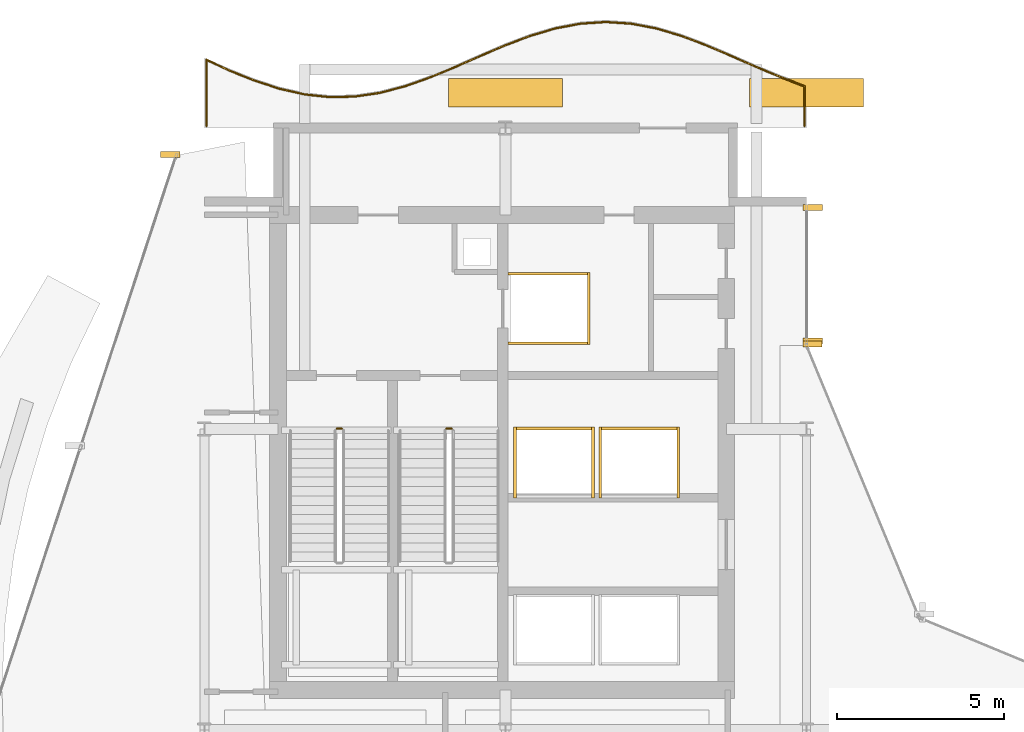
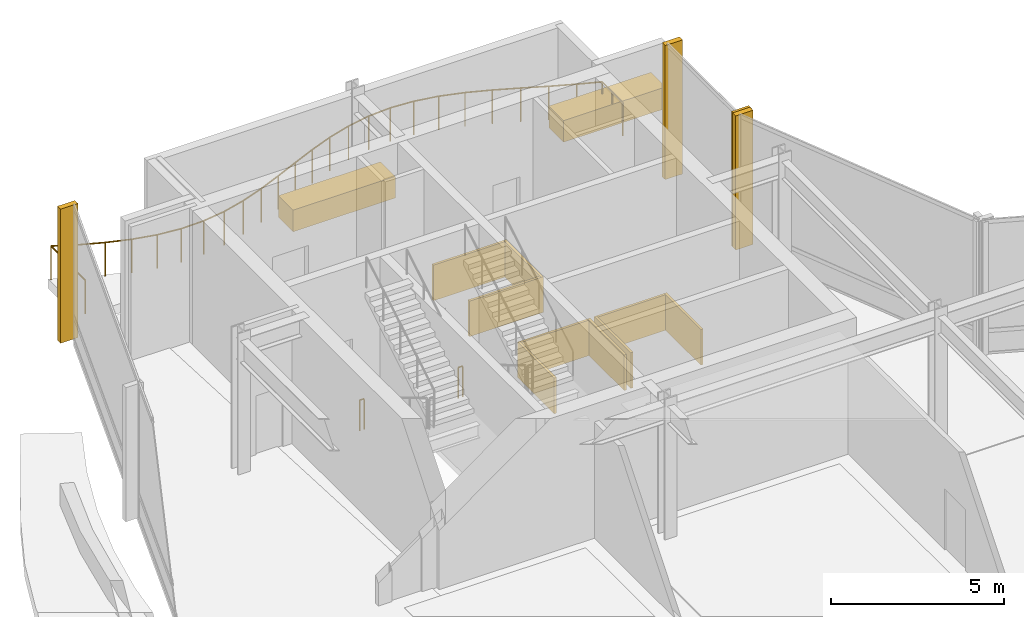
# One storey, part 28 of 29: 28 railings, 15 coverings.
"""IFC4 building model written with IfcOpenShell, lengths in metres."""

from ifc_helpers import new_model, si_unit, direction, frame, origin, origin_2d, place, context, subcontext, project, spatial, rectangle, circle, extrude, material, layer, layer_set, type_object, element, save


model = new_model("IFC4")

# Units and contexts
model_context = context("Model", 3, precision=1e-05, world=origin(), true_north=direction((0.0, 1.0)))
body_context = subcontext(model_context, "Body", "Model", "MODEL_VIEW")
ifc_project = project(units=[si_unit("LENGTHUNIT", "METRE"), si_unit("AREAUNIT", "SQUARE_METRE"), si_unit("VOLUMEUNIT", "CUBIC_METRE"), si_unit("PLANEANGLEUNIT", "RADIAN"), si_unit("MASSUNIT", "GRAM", prefix="KILO")], contexts=[model_context])

# Site, building, storey
site_placement = place(None, origin())
site = spatial("IfcSite", under=ifc_project, at=site_placement, CompositionType="ELEMENT")
building_placement = place(site_placement, origin())
building = spatial("IfcBuilding", under=site, at=building_placement, Name="Solvaryn Broadcast Tower", CompositionType="ELEMENT")
storey_placement = place(building_placement, frame((0.0, 0.0, 169.199951171875)))
storey = spatial("IfcBuildingStorey", under=building, at=storey_placement, Name="L42", CompositionType="ELEMENT", Elevation=169.199951171875)

# Coverings
ifc_material_1 = material(Name="Fire-Rated Gypsum Shaftwall Liner", Category="concrete")
ifc_layer_1 = layer(ifc_material_1, 0.080078125)
ifc_layer_set_1 = layer_set([ifc_layer_1], Name="CV-SHAFT-LINER")
covering_type_1 = type_object("IfcCoveringType", Name="CV-SHAFT-LINER", PredefinedType="CLADDING", material=ifc_layer_set_1)
for number, where, z_axis, x_axis, name in (
    (1, (19.300048828125, 40.639892578125, 0.0), (0.0, 0.0, 1.0), (1.0, 0.0, 0.0), "L42 FL1 Hoistway Shaft Liner North"),
    (2, (19.300048828125, 38.56005859375, 0.0), (0.0, 0.0, 1.0), (1.0, 0.0, 0.0), "L42 FL1 Hoistway Shaft Liner South"),
):
    element("IfcCovering", number, at=place(storey_placement, frame(where, z_axis=z_axis, x_axis=x_axis)), inside=storey, type_object=covering_type_1, Name=name, PredefinedType="CLADDING", context=body_context, shape_type="SweptSolid", body=[
        extrude(rectangle(XDim=2.4599609375, YDim=0.080078125, at=origin_2d()), origin(), (0.0, 0.0, 1.0), 1.25),
    ])
covering_1_placement = place(storey_placement, frame((20.489990234375, 39.60009765625, 0.0), z_axis=(0.0, 0.0, 1.0), x_axis=(1.0, 0.0, 0.0)))
element("IfcCovering", 3, at=covering_1_placement, inside=storey, type_object=covering_type_1, Name="L42 FL1 Hoistway Shaft Liner East", PredefinedType="CLADDING", context=body_context, shape_type="SweptSolid", body=[
    extrude(rectangle(XDim=0.080078125, YDim=2.159912109375, at=origin_2d()), origin(), (0.0, 0.0, 1.0), 1.25),
])
covering_2_placement = place(storey_placement, frame((19.449951171875, 36.014892578125, 0.0), z_axis=(0.0, 0.0, 1.0), x_axis=(1.0, 0.0, 0.0)))
element("IfcCovering", 4, at=covering_2_placement, inside=storey, type_object=covering_type_1, Name="L42 PH3 Hoistway Shaft Liner North", PredefinedType="CLADDING", context=body_context, shape_type="SweptSolid", body=[
    extrude(rectangle(XDim=2.409912109375, YDim=0.080078125, at=origin_2d()), origin(), (0.0, 0.0, 1.0), 1.25),
])
for number, where, z_axis, x_axis, name in (
    (5, (20.614990234375, 35.0, 0.0), (0.0, 0.0, 1.0), (1.0, 0.0, 0.0), "L42 PH3 Hoistway Shaft Liner East"),
    (6, (18.284912109375, 35.0, 0.0), (0.0, 0.0, 1.0), (1.0, 0.0, 0.0), "L42 PH3 Hoistway Shaft Liner West"),
):
    element("IfcCovering", number, at=place(storey_placement, frame(where, z_axis=z_axis, x_axis=x_axis)), inside=storey, type_object=covering_type_1, Name=name, PredefinedType="CLADDING", context=body_context, shape_type="SweptSolid", body=[
        extrude(rectangle(XDim=0.080078125, YDim=2.110107421875, at=origin_2d()), origin(), (0.0, 0.0, 1.0), 1.25),
    ])
covering_3_placement = place(storey_placement, frame((22.0, 36.014892578125, 0.0), z_axis=(0.0, 0.0, 1.0), x_axis=(1.0, 0.0, 0.0)))
element("IfcCovering", 7, at=covering_3_placement, inside=storey, type_object=covering_type_1, Name="L42 PH4 Hoistway Shaft Liner North", PredefinedType="CLADDING", context=body_context, shape_type="SweptSolid", body=[
    extrude(rectangle(XDim=2.409912109375, YDim=0.080078125, at=origin_2d()), origin(), (0.0, 0.0, 1.0), 1.25),
])
for number, where, z_axis, x_axis, name in (
    (8, (23.1650390625, 35.0, 0.0), (0.0, 0.0, 1.0), (1.0, 0.0, 0.0), "L42 PH4 Hoistway Shaft Liner East"),
    (9, (20.8349609375, 35.0, 0.0), (0.0, 0.0, 1.0), (1.0, 0.0, 0.0), "L42 PH4 Hoistway Shaft Liner West"),
):
    element("IfcCovering", number, at=place(storey_placement, frame(where, z_axis=z_axis, x_axis=x_axis)), inside=storey, type_object=covering_type_1, Name=name, PredefinedType="CLADDING", context=body_context, shape_type="SweptSolid", body=[
        extrude(rectangle(XDim=0.080078125, YDim=2.110107421875, at=origin_2d()), origin(), (0.0, 0.0, 1.0), 1.25),
    ])
ifc_material_2 = material(Name="Glazed Architectural Terracotta Rainscreen Cladding", Category="masonry")
ifc_layer_2 = layer(ifc_material_2, 0.280029296875)
ifc_layer_set_2 = layer_set([ifc_layer_2], Name="CV-TC-CLAD")
covering_type_2 = type_object("IfcCoveringType", Name="CV-TC-CLAD", PredefinedType="CLADDING", material=ifc_layer_set_2)
for number, where, z_axis, x_axis, name in (
    (10, (18.0, 46.050048828125, 0.0), (0.0, 0.0, 1.0), (1.0, 0.0, 0.0), "L42 Sky-Garden Planter Bed 1"),
    (11, (27.0, 46.050048828125, 0.0), (0.0, 0.0, 1.0), (1.0, 0.0, 0.0), "L42 Sky-Garden Planter Bed 2"),
):
    element("IfcCovering", number, at=place(storey_placement, frame(where, z_axis=z_axis, x_axis=x_axis)), inside=storey, type_object=covering_type_2, Name=name, PredefinedType="CLADDING", context=body_context, shape_type="SweptSolid", body=[
        extrude(rectangle(XDim=3.39990234375, YDim=0.85009765625, at=origin_2d()), origin(), (0.0, 0.0, 1.0), 0.760009765625),
    ])
ifc_material_3 = material(Name="Extruded Architectural Terracotta Fin", Category="masonry")
ifc_layer_3 = layer(ifc_material_3, 0.179931640625)
ifc_layer_set_3 = layer_set([ifc_layer_3], Name="CV-TC-FIN")
covering_type_3 = type_object("IfcCoveringType", Name="CV-TC-FIN", PredefinedType="USERDEFINED", material=ifc_layer_set_3)
for number, where, z_axis, x_axis, name in (
    (12, (7.982666015625, 44.209716796875, 0.0), (0.0, 0.0, 1.0), (1.0, 0.0, 0.0), "L42 Terracotta Vertical Fin FIN-L42-DR1-M00"),
    (13, (27.1875, 42.6201171875, 0.0), (0.0, 0.0, 1.0), (1.0, 0.0, 0.0), "L42 Terracotta Vertical Fin FIN-L42-IV-M00"),
    (14, (27.1875, 38.6298828125, 0.0), (0.0, 0.0, 1.0), (1.0, 0.0, 0.0), "L42 Terracotta Vertical Fin FIN-L42-IV-M01"),
    (15, (27.177978515625, 38.541259765625, 0.0), (0.0, 0.0, 1.0), (1.0, 0.0, 0.0), "L42 Terracotta Vertical Fin FIN-L42-CN2-M01"),
):
    element("IfcCovering", number, at=place(storey_placement, frame(where, z_axis=z_axis, x_axis=x_axis)), inside=storey, type_object=covering_type_3, Name=name, ObjectType="FIN", PredefinedType="USERDEFINED", context=body_context, shape_type="SweptSolid", body=[
        extrude(rectangle(XDim=0.580078125, YDim=0.179931640625, at=origin_2d()), origin(), (0.0, 0.0, 1.0), 4.719970703125),
    ])

# Railings
ifc_material_4 = material(Name="Stainless Steel and Laminated Glass Guard", Category="steel")
railing_type_1 = type_object("IfcRailingType", Name="RL-SKYG-1200", PredefinedType="BALUSTRADE", material=ifc_material_4)
railing_1_placement = place(storey_placement, frame((9.06005859375, 45.06005859375, 0.0)))
element("IfcRailing", 16, at=railing_1_placement, inside=storey, type_object=railing_type_1, Name="L42 Terrace Guard TSSG3-1", PredefinedType="BALUSTRADE", context=body_context, shape_type="SweptSolid", body=[
    extrude(circle(Radius=0.02392578125, at=origin_2d()), frame((0.0, 0.0, 1.17578125), z_axis=(0.0, 1.0, 0.0), x_axis=(-1.0, 0.0, 0.0)), (0.0, 0.0, 1.0), 1.97998046875),
    extrude(circle(Radius=0.02099609375, at=origin_2d()), origin(), (0.0, 0.0, 1.0), 1.15185546875),
    extrude(circle(Radius=0.02099609375, at=origin_2d()), frame((0.0, 0.989990234375, 0.0)), (0.0, 0.0, 1.0), 1.15185546875),
    extrude(circle(Radius=0.02099609375, at=origin_2d()), frame((0.0, 1.97998046875, 0.0)), (0.0, 0.0, 1.0), 1.15185546875),
])
railing_2_placement = place(storey_placement, frame((9.06005859375, 47.0400390625, 0.0)))
element("IfcRailing", 17, at=railing_2_placement, inside=storey, type_object=railing_type_1, Name="L42 Terrace Guard TSSG3-2", PredefinedType="BALUSTRADE", context=body_context, shape_type="SweptSolid", body=[
    extrude(circle(Radius=0.02392578125, at=origin_2d()), frame((0.0, 0.0, 1.17578125), z_axis=(0.903815970301, -0.427921361735, 0.0), x_axis=(0.427921361735, 0.903815970301, 0.0)), (0.0, 0.0, 1.0), 0.763427734375),
    extrude(circle(Radius=0.02099609375, at=origin_2d()), origin(), (0.0, 0.0, 1.0), 1.15185546875),
    extrude(circle(Radius=0.02099609375, at=origin_2d()), frame((0.68994140625, -0.32666015625, 0.0)), (0.0, 0.0, 1.0), 1.15185546875),
])
railing_3_placement = place(storey_placement, frame((9.75, 46.71337890625, 0.0)))
element("IfcRailing", 18, at=railing_3_placement, inside=storey, type_object=railing_type_1, Name="L42 Terrace Guard TSSG3-3", PredefinedType="BALUSTRADE", context=body_context, shape_type="SweptSolid", body=[
    extrude(circle(Radius=0.02392578125, at=origin_2d()), frame((0.0, 0.0, 1.17578125), z_axis=(0.929184235112, -0.369616906024, 0.0), x_axis=(0.369616906024, 0.929184235112, 0.0)), (0.0, 0.0, 1.0), 0.80712890625),
    extrude(circle(Radius=0.02099609375, at=origin_2d()), origin(), (0.0, 0.0, 1.0), 1.15185546875),
    extrude(circle(Radius=0.02099609375, at=origin_2d()), frame((0.75, -0.29833984375, 0.0)), (0.0, 0.0, 1.0), 1.15185546875),
])
railing_4_placement = place(storey_placement, frame((10.5, 46.4150390625, 0.0)))
element("IfcRailing", 19, at=railing_4_placement, inside=storey, type_object=railing_type_1, Name="L42 Terrace Guard TSSG3-4", PredefinedType="BALUSTRADE", context=body_context, shape_type="SweptSolid", body=[
    extrude(circle(Radius=0.02392578125, at=origin_2d()), frame((0.0, 0.0, 1.17578125), z_axis=(0.95070604111, -0.310093572003, 0.0), x_axis=(0.310093572003, 0.95070604111, 0.0)), (0.0, 0.0, 1.0), 0.788818359375),
    extrude(circle(Radius=0.02099609375, at=origin_2d()), origin(), (0.0, 0.0, 1.0), 1.15185546875),
    extrude(circle(Radius=0.02099609375, at=origin_2d()), frame((0.75, -0.24462890625, 0.0)), (0.0, 0.0, 1.0), 1.15185546875),
])
railing_5_placement = place(storey_placement, frame((11.25, 46.17041015625, 0.0)))
element("IfcRailing", 20, at=railing_5_placement, inside=storey, type_object=railing_type_1, Name="L42 Terrace Guard TSSG3-5", PredefinedType="BALUSTRADE", context=body_context, shape_type="SweptSolid", body=[
    extrude(circle(Radius=0.02392578125, at=origin_2d()), frame((0.0, 0.0, 1.17578125), z_axis=(0.975282326732, -0.22096240215, 0.0), x_axis=(0.22096240215, 0.975282326732, 0.0)), (0.0, 0.0, 1.0), 0.76904296875),
    extrude(circle(Radius=0.02099609375, at=origin_2d()), origin(), (0.0, 0.0, 1.0), 1.15185546875),
    extrude(circle(Radius=0.02099609375, at=origin_2d()), frame((0.75, -0.169921875, 0.0)), (0.0, 0.0, 1.0), 1.15185546875),
])
railing_6_placement = place(storey_placement, frame((12.0, 46.00048828125, 0.0)))
element("IfcRailing", 21, at=railing_6_placement, inside=storey, type_object=railing_type_1, Name="L42 Terrace Guard TSSG3-6", PredefinedType="BALUSTRADE", context=body_context, shape_type="SweptSolid", body=[
    extrude(circle(Radius=0.02392578125, at=origin_2d()), frame((0.0, 0.0, 1.17578125), z_axis=(0.994348271255, -0.106167393545, 0.0), x_axis=(0.106167393545, 0.994348271255, 0.0)), (0.0, 0.0, 1.0), 0.754150390625),
    extrude(circle(Radius=0.02099609375, at=origin_2d()), origin(), (0.0, 0.0, 1.0), 1.15185546875),
    extrude(circle(Radius=0.02099609375, at=origin_2d()), frame((0.75, -0.080078125, 0.0)), (0.0, 0.0, 1.0), 1.15185546875),
])
railing_7_placement = place(storey_placement, frame((12.75, 45.92041015625, 0.0)))
element("IfcRailing", 22, at=railing_7_placement, inside=storey, type_object=railing_type_1, Name="L42 Terrace Guard TSSG3-7", PredefinedType="BALUSTRADE", context=body_context, shape_type="SweptSolid", body=[
    extrude(circle(Radius=0.02392578125, at=origin_2d()), frame((0.0, 0.0, 1.17578125), z_axis=(0.99976929068, 0.021479418354, 0.0), x_axis=(-0.021479418354, 0.99976929068, 0.0)), (0.0, 0.0, 1.0), 0.750244140625),
    extrude(circle(Radius=0.02099609375, at=origin_2d()), origin(), (0.0, 0.0, 1.0), 1.15185546875),
    extrude(circle(Radius=0.02099609375, at=origin_2d()), frame((0.75, 0.01611328125, 0.0)), (0.0, 0.0, 1.0), 1.15185546875),
])
railing_8_placement = place(storey_placement, frame((13.5, 45.9365234375, 0.0)))
element("IfcRailing", 23, at=railing_8_placement, inside=storey, type_object=railing_type_1, Name="L42 Terrace Guard TSSG3-8", PredefinedType="BALUSTRADE", context=body_context, shape_type="SweptSolid", body=[
    extrude(circle(Radius=0.02392578125, at=origin_2d()), frame((0.0, 0.0, 1.17578125), z_axis=(0.989161931015, 0.146828724135, 0.0), x_axis=(-0.146828724135, 0.989161931015, 0.0)), (0.0, 0.0, 1.0), 0.75830078125),
    extrude(circle(Radius=0.02099609375, at=origin_2d()), origin(), (0.0, 0.0, 1.0), 1.15185546875),
    extrude(circle(Radius=0.02099609375, at=origin_2d()), frame((0.75, 0.111328125, 0.0)), (0.0, 0.0, 1.0), 1.15185546875),
])
railing_9_placement = place(storey_placement, frame((14.25, 46.0478515625, 0.0)))
element("IfcRailing", 24, at=railing_9_placement, inside=storey, type_object=railing_type_1, Name="L42 Terrace Guard TSSG3-9", PredefinedType="BALUSTRADE", context=body_context, shape_type="SweptSolid", body=[
    extrude(circle(Radius=0.02392578125, at=origin_2d()), frame((0.0, 0.0, 1.17578125), z_axis=(0.967339139259, 0.253485679396, 0.0), x_axis=(-0.253485679396, 0.967339139259, 0.0)), (0.0, 0.0, 1.0), 0.775390625),
    extrude(circle(Radius=0.02099609375, at=origin_2d()), origin(), (0.0, 0.0, 1.0), 1.15185546875),
    extrude(circle(Radius=0.02099609375, at=origin_2d()), frame((0.75, 0.196533203125, 0.0)), (0.0, 0.0, 1.0), 1.15185546875),
])
railing_10_placement = place(storey_placement, frame((15.0, 46.244384765625, 0.0)))
element("IfcRailing", 25, at=railing_10_placement, inside=storey, type_object=railing_type_1, Name="L42 Terrace Guard TSSG3-10", PredefinedType="BALUSTRADE", context=body_context, shape_type="SweptSolid", body=[
    extrude(circle(Radius=0.02392578125, at=origin_2d()), frame((0.0, 0.0, 1.17578125), z_axis=(0.942723757647, 0.33357445461, 0.0), x_axis=(-0.33357445461, 0.942723757647, 0.0)), (0.0, 0.0, 1.0), 0.795654296875),
    extrude(circle(Radius=0.02099609375, at=origin_2d()), origin(), (0.0, 0.0, 1.0), 1.15185546875),
    extrude(circle(Radius=0.02099609375, at=origin_2d()), frame((0.75, 0.265380859375, 0.0)), (0.0, 0.0, 1.0), 1.15185546875),
])
railing_11_placement = place(storey_placement, frame((15.75, 46.509765625, 0.0)))
element("IfcRailing", 26, at=railing_11_placement, inside=storey, type_object=railing_type_1, Name="L42 Terrace Guard TSSG3-11", PredefinedType="BALUSTRADE", context=body_context, shape_type="SweptSolid", body=[
    extrude(circle(Radius=0.02392578125, at=origin_2d()), frame((0.0, 0.0, 1.17578125), z_axis=(0.923822540544, 0.382820994177, 0.0), x_axis=(-0.382820994177, 0.923822540544, 0.0)), (0.0, 0.0, 1.0), 0.811767578125),
    extrude(circle(Radius=0.02099609375, at=origin_2d()), origin(), (0.0, 0.0, 1.0), 1.15185546875),
    extrude(circle(Radius=0.02099609375, at=origin_2d()), frame((0.75, 0.310791015625, 0.0)), (0.0, 0.0, 1.0), 1.15185546875),
])
railing_12_placement = place(storey_placement, frame((16.5, 46.820556640625, 0.0)))
element("IfcRailing", 27, at=railing_12_placement, inside=storey, type_object=railing_type_1, Name="L42 Terrace Guard TSSG3-12", PredefinedType="BALUSTRADE", context=body_context, shape_type="SweptSolid", body=[
    extrude(circle(Radius=0.02392578125, at=origin_2d()), frame((0.0, 0.0, 1.17578125), z_axis=(0.915389711003, 0.402568847515, 0.0), x_axis=(-0.402568847515, 0.915389711003, 0.0)), (0.0, 0.0, 1.0), 0.8193359375),
    extrude(circle(Radius=0.02099609375, at=origin_2d()), origin(), (0.0, 0.0, 1.0), 1.15185546875),
    extrude(circle(Radius=0.02099609375, at=origin_2d()), frame((0.75, 0.329833984375, 0.0)), (0.0, 0.0, 1.0), 1.15185546875),
])
railing_13_placement = place(storey_placement, frame((17.25, 47.150390625, 0.0)))
element("IfcRailing", 28, at=railing_13_placement, inside=storey, type_object=railing_type_1, Name="L42 Terrace Guard TSSG3-13", PredefinedType="BALUSTRADE", context=body_context, shape_type="SweptSolid", body=[
    extrude(circle(Radius=0.02392578125, at=origin_2d()), frame((0.0, 0.0, 1.17578125), z_axis=(0.919747905931, 0.392509604387, 0.0), x_axis=(-0.392509604387, 0.919747905931, 0.0)), (0.0, 0.0, 1.0), 0.8154296875),
    extrude(circle(Radius=0.02099609375, at=origin_2d()), origin(), (0.0, 0.0, 1.0), 1.15185546875),
    extrude(circle(Radius=0.02099609375, at=origin_2d()), frame((0.75, 0.320068359375, 0.0)), (0.0, 0.0, 1.0), 1.15185546875),
])
railing_14_placement = place(storey_placement, frame((18.0, 47.470458984375, 0.0)))
element("IfcRailing", 29, at=railing_14_placement, inside=storey, type_object=railing_type_1, Name="L42 Terrace Guard TSSG3-14", PredefinedType="BALUSTRADE", context=body_context, shape_type="SweptSolid", body=[
    extrude(circle(Radius=0.02392578125, at=origin_2d()), frame((0.0, 0.0, 1.17578125), z_axis=(0.935525777561, 0.353258431631, 0.0), x_axis=(-0.353258431631, 0.935525777561, 0.0)), (0.0, 0.0, 1.0), 0.8017578125),
    extrude(circle(Radius=0.02099609375, at=origin_2d()), origin(), (0.0, 0.0, 1.0), 1.15185546875),
    extrude(circle(Radius=0.02099609375, at=origin_2d()), frame((0.75, 0.283203125, 0.0)), (0.0, 0.0, 1.0), 1.15185546875),
])
railing_15_placement = place(storey_placement, frame((18.75, 47.753662109375, 0.0)))
element("IfcRailing", 30, at=railing_15_placement, inside=storey, type_object=railing_type_1, Name="L42 Terrace Guard TSSG3-15", PredefinedType="BALUSTRADE", context=body_context, shape_type="SweptSolid", body=[
    extrude(circle(Radius=0.02392578125, at=origin_2d()), frame((0.0, 0.0, 1.17578125), z_axis=(0.958986856104, 0.283450542104, 0.0), x_axis=(-0.283450542104, 0.958986856104, 0.0)), (0.0, 0.0, 1.0), 0.781982421875),
    extrude(circle(Radius=0.02099609375, at=origin_2d()), origin(), (0.0, 0.0, 1.0), 1.15185546875),
    extrude(circle(Radius=0.02099609375, at=origin_2d()), frame((0.75, 0.2216796875, 0.0)), (0.0, 0.0, 1.0), 1.15185546875),
])
railing_16_placement = place(storey_placement, frame((19.5, 47.975341796875, 0.0)))
element("IfcRailing", 31, at=railing_16_placement, inside=storey, type_object=railing_type_1, Name="L42 Terrace Guard TSSG3-16", PredefinedType="BALUSTRADE", context=body_context, shape_type="SweptSolid", body=[
    extrude(circle(Radius=0.02392578125, at=origin_2d()), frame((0.0, 0.0, 1.17578125), z_axis=(0.982697923429, 0.185215526584, 0.0), x_axis=(-0.185215526584, 0.982697923429, 0.0)), (0.0, 0.0, 1.0), 0.76318359375),
    extrude(circle(Radius=0.02099609375, at=origin_2d()), origin(), (0.0, 0.0, 1.0), 1.15185546875),
    extrude(circle(Radius=0.02099609375, at=origin_2d()), frame((0.75, 0.141357421875, 0.0)), (0.0, 0.0, 1.0), 1.15185546875),
])
railing_17_placement = place(storey_placement, frame((20.25, 48.11669921875, 0.0)))
element("IfcRailing", 32, at=railing_17_placement, inside=storey, type_object=railing_type_1, Name="L42 Terrace Guard TSSG3-17", PredefinedType="BALUSTRADE", context=body_context, shape_type="SweptSolid", body=[
    extrude(circle(Radius=0.02392578125, at=origin_2d()), frame((0.0, 0.0, 1.17578125), z_axis=(0.99792934655, 0.064319664914, 0.0), x_axis=(-0.064319664914, 0.99792934655, 0.0)), (0.0, 0.0, 1.0), 0.75146484375),
    extrude(circle(Radius=0.02099609375, at=origin_2d()), origin(), (0.0, 0.0, 1.0), 1.15185546875),
    extrude(circle(Radius=0.02099609375, at=origin_2d()), frame((0.75, 0.04833984375, 0.0)), (0.0, 0.0, 1.0), 1.15185546875),
])
railing_18_placement = place(storey_placement, frame((21.0, 48.1650390625, 0.0)))
element("IfcRailing", 33, at=railing_18_placement, inside=storey, type_object=railing_type_1, Name="L42 Terrace Guard TSSG3-18", PredefinedType="BALUSTRADE", context=body_context, shape_type="SweptSolid", body=[
    extrude(circle(Radius=0.02392578125, at=origin_2d()), frame((0.0, 0.0, 1.17578125), z_axis=(0.99792934655, -0.064319664914, 0.0), x_axis=(0.064319664914, 0.99792934655, 0.0)), (0.0, 0.0, 1.0), 0.75146484375),
    extrude(circle(Radius=0.02099609375, at=origin_2d()), origin(), (0.0, 0.0, 1.0), 1.15185546875),
    extrude(circle(Radius=0.02099609375, at=origin_2d()), frame((0.75, -0.04833984375, 0.0)), (0.0, 0.0, 1.0), 1.15185546875),
])
railing_19_placement = place(storey_placement, frame((21.75, 48.11669921875, 0.0)))
element("IfcRailing", 34, at=railing_19_placement, inside=storey, type_object=railing_type_1, Name="L42 Terrace Guard TSSG3-19", PredefinedType="BALUSTRADE", context=body_context, shape_type="SweptSolid", body=[
    extrude(circle(Radius=0.02392578125, at=origin_2d()), frame((0.0, 0.0, 1.17578125), z_axis=(0.982697923429, -0.185215526584, 0.0), x_axis=(0.185215526584, 0.982697923429, 0.0)), (0.0, 0.0, 1.0), 0.76318359375),
    extrude(circle(Radius=0.02099609375, at=origin_2d()), origin(), (0.0, 0.0, 1.0), 1.15185546875),
    extrude(circle(Radius=0.02099609375, at=origin_2d()), frame((0.75, -0.141357421875, 0.0)), (0.0, 0.0, 1.0), 1.15185546875),
])
railing_20_placement = place(storey_placement, frame((22.5, 47.975341796875, 0.0)))
element("IfcRailing", 35, at=railing_20_placement, inside=storey, type_object=railing_type_1, Name="L42 Terrace Guard TSSG3-20", PredefinedType="BALUSTRADE", context=body_context, shape_type="SweptSolid", body=[
    extrude(circle(Radius=0.02392578125, at=origin_2d()), frame((0.0, 0.0, 1.17578125), z_axis=(0.958986856104, -0.283450542104, 0.0), x_axis=(0.283450542104, 0.958986856104, 0.0)), (0.0, 0.0, 1.0), 0.781982421875),
    extrude(circle(Radius=0.02099609375, at=origin_2d()), origin(), (0.0, 0.0, 1.0), 1.15185546875),
    extrude(circle(Radius=0.02099609375, at=origin_2d()), frame((0.75, -0.2216796875, 0.0)), (0.0, 0.0, 1.0), 1.15185546875),
])
railing_21_placement = place(storey_placement, frame((23.25, 47.753662109375, 0.0)))
element("IfcRailing", 36, at=railing_21_placement, inside=storey, type_object=railing_type_1, Name="L42 Terrace Guard TSSG3-21", PredefinedType="BALUSTRADE", context=body_context, shape_type="SweptSolid", body=[
    extrude(circle(Radius=0.02392578125, at=origin_2d()), frame((0.0, 0.0, 1.17578125), z_axis=(0.935525777561, -0.353258431631, 0.0), x_axis=(0.353258431631, 0.935525777561, 0.0)), (0.0, 0.0, 1.0), 0.8017578125),
    extrude(circle(Radius=0.02099609375, at=origin_2d()), origin(), (0.0, 0.0, 1.0), 1.15185546875),
    extrude(circle(Radius=0.02099609375, at=origin_2d()), frame((0.75, -0.283203125, 0.0)), (0.0, 0.0, 1.0), 1.15185546875),
])
railing_22_placement = place(storey_placement, frame((24.0, 47.470458984375, 0.0)))
element("IfcRailing", 37, at=railing_22_placement, inside=storey, type_object=railing_type_1, Name="L42 Terrace Guard TSSG3-22", PredefinedType="BALUSTRADE", context=body_context, shape_type="SweptSolid", body=[
    extrude(circle(Radius=0.02392578125, at=origin_2d()), frame((0.0, 0.0, 1.17578125), z_axis=(0.919747905931, -0.392509604387, 0.0), x_axis=(0.392509604387, 0.919747905931, 0.0)), (0.0, 0.0, 1.0), 0.8154296875),
    extrude(circle(Radius=0.02099609375, at=origin_2d()), origin(), (0.0, 0.0, 1.0), 1.15185546875),
    extrude(circle(Radius=0.02099609375, at=origin_2d()), frame((0.75, -0.320068359375, 0.0)), (0.0, 0.0, 1.0), 1.15185546875),
])
railing_23_placement = place(storey_placement, frame((24.75, 47.150390625, 0.0)))
element("IfcRailing", 38, at=railing_23_placement, inside=storey, type_object=railing_type_1, Name="L42 Terrace Guard TSSG3-23", PredefinedType="BALUSTRADE", context=body_context, shape_type="SweptSolid", body=[
    extrude(circle(Radius=0.02392578125, at=origin_2d()), frame((0.0, 0.0, 1.17578125), z_axis=(0.915389711003, -0.402568847515, 0.0), x_axis=(0.402568847515, 0.915389711003, 0.0)), (0.0, 0.0, 1.0), 0.8193359375),
    extrude(circle(Radius=0.02099609375, at=origin_2d()), origin(), (0.0, 0.0, 1.0), 1.15185546875),
    extrude(circle(Radius=0.02099609375, at=origin_2d()), frame((0.75, -0.329833984375, 0.0)), (0.0, 0.0, 1.0), 1.15185546875),
])
railing_24_placement = place(storey_placement, frame((25.5, 46.820556640625, 0.0)))
element("IfcRailing", 39, at=railing_24_placement, inside=storey, type_object=railing_type_1, Name="L42 Terrace Guard TSSG3-24", PredefinedType="BALUSTRADE", context=body_context, shape_type="SweptSolid", body=[
    extrude(circle(Radius=0.02392578125, at=origin_2d()), frame((0.0, 0.0, 1.17578125), z_axis=(0.923822540544, -0.382820994177, 0.0), x_axis=(0.382820994177, 0.923822540544, 0.0)), (0.0, 0.0, 1.0), 0.811767578125),
    extrude(circle(Radius=0.02099609375, at=origin_2d()), origin(), (0.0, 0.0, 1.0), 1.15185546875),
    extrude(circle(Radius=0.02099609375, at=origin_2d()), frame((0.75, -0.310791015625, 0.0)), (0.0, 0.0, 1.0), 1.15185546875),
])
railing_25_placement = place(storey_placement, frame((26.25, 46.509765625, 0.0)))
element("IfcRailing", 40, at=railing_25_placement, inside=storey, type_object=railing_type_1, Name="L42 Terrace Guard TSSG3-25", PredefinedType="BALUSTRADE", context=body_context, shape_type="SweptSolid", body=[
    extrude(circle(Radius=0.02392578125, at=origin_2d()), frame((0.0, 0.0, 1.17578125), z_axis=(0.933337093881, -0.359001210562, 0.0), x_axis=(0.359001210562, 0.933337093881, 0.0)), (0.0, 0.0, 1.0), 0.7392578125),
    extrude(circle(Radius=0.02099609375, at=origin_2d()), origin(), (0.0, 0.0, 1.0), 1.15185546875),
    extrude(circle(Radius=0.02099609375, at=origin_2d()), frame((0.68994140625, -0.265380859375, 0.0)), (0.0, 0.0, 1.0), 1.15185546875),
])
railing_26_placement = place(storey_placement, frame((26.93994140625, 46.244384765625, 0.0)))
element("IfcRailing", 41, at=railing_26_placement, inside=storey, type_object=railing_type_1, Name="L42 Terrace Guard TSSG3-26", PredefinedType="BALUSTRADE", context=body_context, shape_type="SweptSolid", body=[
    extrude(circle(Radius=0.02392578125, at=origin_2d()), frame((0.0, 0.0, 1.17578125), z_axis=(0.0, -1.0, 0.0), x_axis=(1.0, 0.0, 0.0)), (0.0, 0.0, 1.0), 1.184326171875),
    extrude(circle(Radius=0.02099609375, at=origin_2d()), origin(), (0.0, 0.0, 1.0), 1.15185546875),
    extrude(circle(Radius=0.02099609375, at=origin_2d()), frame((0.0, -0.59228515625, 0.0)), (0.0, 0.0, 1.0), 1.15185546875),
    extrude(circle(Radius=0.02099609375, at=origin_2d()), frame((0.0, -1.184326171875, 0.0)), (0.0, 0.0, 1.0), 1.15185546875),
])
ifc_material_5 = material(Name="Painted Steel Stair Well Guard", Category="steel")
railing_type_2 = type_object("IfcRailingType", Name="RL-STAIR-GUARD", PredefinedType="BALUSTRADE", material=ifc_material_5)
railing_27_placement = place(storey_placement, frame((12.9599609375, 36.010009765625, 0.0)))
element("IfcRailing", 42, at=railing_27_placement, inside=storey, type_object=railing_type_2, Name="L42 ST1 stair guard 4", PredefinedType="BALUSTRADE", context=body_context, shape_type="SweptSolid", body=[
    extrude(circle(Radius=0.02392578125, at=origin_2d()), frame((0.0, 0.0, 1.076171875), z_axis=(1.0, 0.0, 0.0), x_axis=(0.0, 1.0, 0.0)), (0.0, 0.0, 1.0), 0.150146484375),
    extrude(circle(Radius=0.02099609375, at=origin_2d()), origin(), (0.0, 0.0, 1.0), 1.052001953125),
    extrude(circle(Radius=0.02099609375, at=origin_2d()), frame((0.150146484375, 0.0, 0.0)), (0.0, 0.0, 1.0), 1.052001953125),
])
railing_28_placement = place(storey_placement, frame((16.239990234375, 36.010009765625, 0.0)))
element("IfcRailing", 43, at=railing_28_placement, inside=storey, type_object=railing_type_2, Name="L42 ST2 stair guard 4", PredefinedType="BALUSTRADE", context=body_context, shape_type="SweptSolid", body=[
    extrude(circle(Radius=0.02392578125, at=origin_2d()), frame((0.0, 0.0, 1.076171875), z_axis=(1.0, 0.0, 0.0), x_axis=(0.0, 1.0, 0.0)), (0.0, 0.0, 1.0), 0.14990234375),
    extrude(circle(Radius=0.02099609375, at=origin_2d()), origin(), (0.0, 0.0, 1.0), 1.052001953125),
    extrude(circle(Radius=0.02099609375, at=origin_2d()), frame((0.14990234375, 0.0, 0.0)), (0.0, 0.0, 1.0), 1.052001953125),
])

save(model, "model.ifc")
